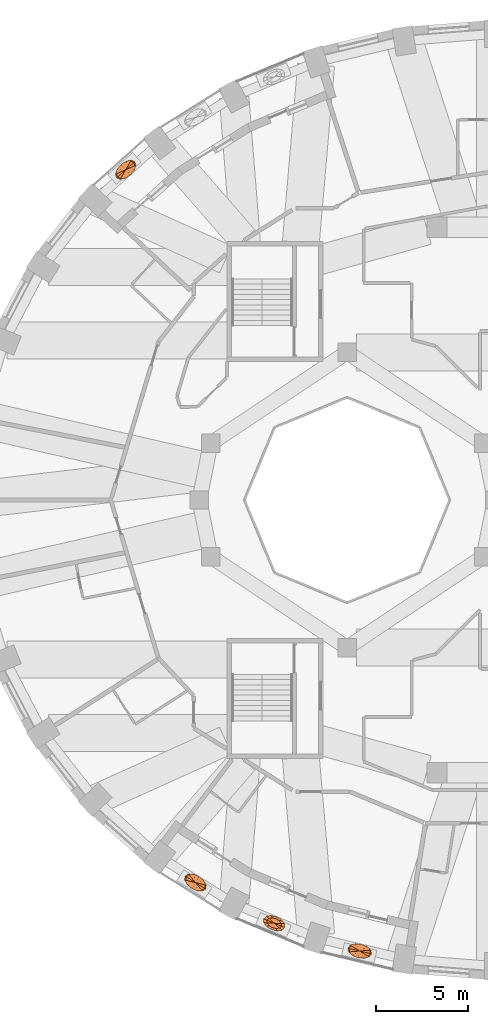
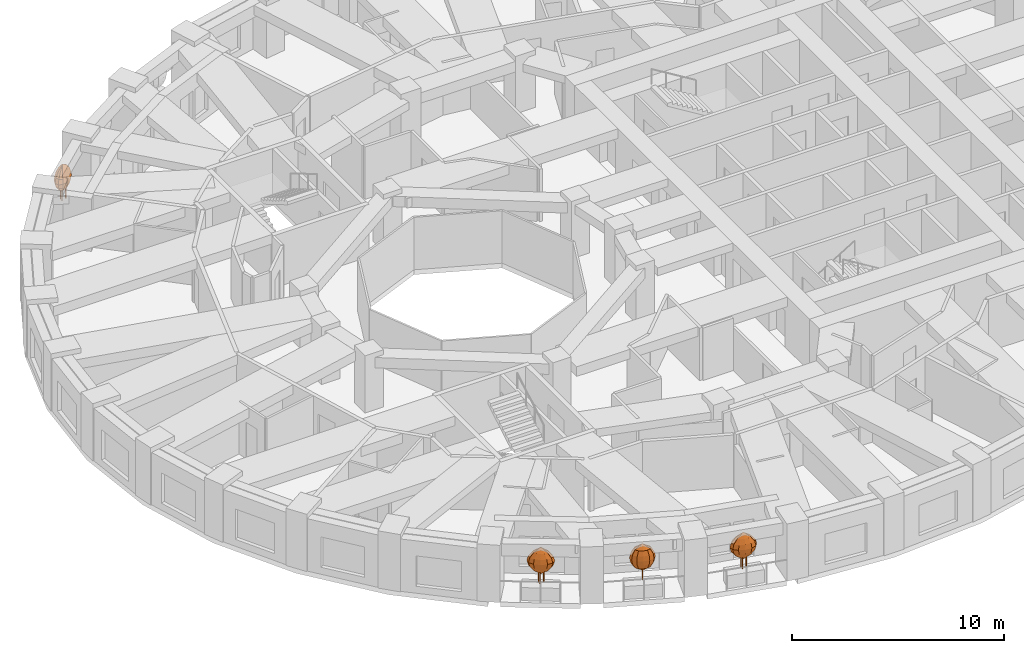
# One storey, part 12 of 13: 4 geographic elements.
"""IFC4 building model written with IfcOpenShell, lengths in metres."""

from ifc_helpers import new_model, si_unit, direction, frame, origin, place, context, subcontext, project, spatial, faceted_brep, material, constituent, constituent_set, type_object, element, save


model = new_model("IFC4")

# Units and contexts
model_context = context("Model", 3, precision=1e-05, world=origin(), true_north=direction((0.0, 1.0)))
body_context = subcontext(model_context, "Body", "Model", "MODEL_VIEW")
ifc_project = project(units=[si_unit("LENGTHUNIT", "METRE"), si_unit("AREAUNIT", "SQUARE_METRE"), si_unit("VOLUMEUNIT", "CUBIC_METRE"), si_unit("PLANEANGLEUNIT", "RADIAN"), si_unit("MASSUNIT", "GRAM", prefix="KILO")], contexts=[model_context])

# Site, building, storey
site_placement = place(None, origin())
site = spatial("IfcSite", under=ifc_project, at=site_placement, CompositionType="ELEMENT")
building_placement = place(site_placement, origin())
building = spatial("IfcBuilding", under=site, at=building_placement, Name="Taillehof Tower", CompositionType="ELEMENT")
storey_placement = place(building_placement, frame((0.0, 0.0, 44.800048828125)))
storey = spatial("IfcBuildingStorey", under=building, at=storey_placement, Name="L11", CompositionType="ELEMENT", Elevation=44.800048828125)

# Geographic elements
ifc_material_1 = material(Name="Tree bark", Category="timber")
ifc_constituent_1 = constituent(ifc_material_1, Name="Trunk", Category="timber")
ifc_material_2 = material(Name="Tree foliage")
ifc_constituent_2 = constituent(ifc_material_2, Name="Crown")
ifc_constituent_set_1 = constituent_set(constituents=[ifc_constituent_1, ifc_constituent_2], Name="Tree TR1 Columnar hornbeam")
geographic_element_type_1 = type_object("IfcGeographicElementType", Name="Tree TR1 Columnar hornbeam", PredefinedType="USERDEFINED", material=ifc_constituent_set_1)
geographic_element_1_placement = place(storey_placement, frame((-11.947509765625, -22.923583984375, 0.75)))
element("IfcGeographicElement", 1, at=geographic_element_1_placement, inside=storey, type_object=geographic_element_type_1, Name="Tree TR1 Columnar hornbeam", ObjectType="TREE", PredefinedType="USERDEFINED", context=body_context, shape_type="Brep", body=[
    faceted_brep([(0.030029296875, 0.0, 0.0), (0.021240234375, 0.021240234375, 0.0), (0.021240234375, 0.021240234375, 1.092529296875), (0.030029296875, 0.0, 1.092529296875), (0.0, 0.030029296875, 0.0), (0.0, 0.030029296875, 1.092529296875), (-0.021240234375, 0.021240234375, 0.0), (-0.021240234375, 0.021240234375, 1.092529296875), (-0.030029296875, 0.0, 0.0), (-0.030029296875, 0.0, 1.092529296875), (-0.021240234375, -0.021240234375, 0.0), (-0.021240234375, -0.021240234375, 1.092529296875), (0.0, -0.030029296875, 0.0), (0.0, -0.030029296875, 1.092529296875), (0.021240234375, -0.021240234375, 0.0), (0.021240234375, -0.021240234375, 1.092529296875)], [[[0, 1, 2, 3]], [[1, 4, 5, 2]], [[4, 6, 7, 5]], [[6, 8, 9, 7]], [[8, 10, 11, 9]], [[10, 12, 13, 11]], [[12, 14, 15, 13]], [[14, 0, 3, 15]], [[14, 12, 10, 8, 6, 4, 1, 0]], [[3, 2, 5, 7, 9, 11, 13, 15]]]),
    faceted_brep([(0.0, 0.0, 0.550048828125), (0.386962890625, -0.020751953125, 0.808349609375), (0.389404296875, -0.162353515625, 0.808349609375), (0.28125, 0.126220703125, 0.808349609375), (0.099853515625, 0.239501953125, 0.808349609375), (-0.108154296875, 0.28857421875, 0.808349609375), (-0.287109375, 0.26025390625, 0.808349609375), (-0.389404296875, 0.162353515625, 0.808349609375), (-0.386962890625, 0.020751953125, 0.808349609375), (-0.28125, -0.126220703125, 0.808349609375), (-0.099853515625, -0.239501953125, 0.808349609375), (0.108154296875, -0.28857421875, 0.808349609375), (0.287109375, -0.26025390625, 0.808349609375), (0.523681640625, -0.028076171875, 1.066650390625), (0.526611328125, -0.219482421875, 1.066650390625), (0.38037109375, 0.1708984375, 1.066650390625), (0.135009765625, 0.323974609375, 1.066650390625), (-0.146240234375, 0.390380859375, 1.066650390625), (-0.388427734375, 0.35205078125, 1.066650390625), (-0.526611328125, 0.219482421875, 1.066650390625), (-0.523681640625, 0.028076171875, 1.066650390625), (-0.38037109375, -0.1708984375, 1.066650390625), (-0.135009765625, -0.323974609375, 1.066650390625), (0.146240234375, -0.390380859375, 1.066650390625), (0.388427734375, -0.35205078125, 1.066650390625), (0.566650390625, -0.0302734375, 1.324951171875), (0.570068359375, -0.237548828125, 1.324951171875), (0.41162109375, 0.18505859375, 1.324951171875), (0.146240234375, 0.350830078125, 1.324951171875), (-0.158447265625, 0.422607421875, 1.324951171875), (-0.42041015625, 0.381103515625, 1.324951171875), (-0.570068359375, 0.237548828125, 1.324951171875), (-0.566650390625, 0.0302734375, 1.324951171875), (-0.41162109375, -0.18505859375, 1.324951171875), (-0.146240234375, -0.350830078125, 1.324951171875), (0.158447265625, -0.422607421875, 1.324951171875), (0.42041015625, -0.381103515625, 1.324951171875), (0.523681640625, -0.028076171875, 1.583251953125), (0.526611328125, -0.219482421875, 1.583251953125), (0.38037109375, 0.1708984375, 1.583251953125), (0.135009765625, 0.323974609375, 1.583251953125), (-0.146240234375, 0.390380859375, 1.583251953125), (-0.388427734375, 0.35205078125, 1.583251953125), (-0.526611328125, 0.219482421875, 1.583251953125), (-0.523681640625, 0.028076171875, 1.583251953125), (-0.38037109375, -0.1708984375, 1.583251953125), (-0.135009765625, -0.323974609375, 1.583251953125), (0.146240234375, -0.390380859375, 1.583251953125), (0.388427734375, -0.35205078125, 1.583251953125), (0.386962890625, -0.020751953125, 1.841552734375), (0.389404296875, -0.162353515625, 1.841552734375), (0.28125, 0.126220703125, 1.841552734375), (0.099853515625, 0.239501953125, 1.841552734375), (-0.108154296875, 0.28857421875, 1.841552734375), (-0.287109375, 0.26025390625, 1.841552734375), (-0.389404296875, 0.162353515625, 1.841552734375), (-0.386962890625, 0.020751953125, 1.841552734375), (-0.28125, -0.126220703125, 1.841552734375), (-0.099853515625, -0.239501953125, 1.841552734375), (0.108154296875, -0.28857421875, 1.841552734375), (0.287109375, -0.26025390625, 1.841552734375), (0.0, 0.0, 2.10009765625)], [[[0, 1, 2]], [[0, 3, 1]], [[0, 4, 3]], [[0, 5, 4]], [[0, 6, 5]], [[0, 7, 6]], [[0, 8, 7]], [[0, 9, 8]], [[0, 10, 9]], [[0, 11, 10]], [[0, 12, 11]], [[0, 2, 12]], [[2, 1, 13, 14]], [[1, 3, 15, 13]], [[3, 4, 16, 15]], [[4, 5, 17, 16]], [[5, 6, 18, 17]], [[6, 7, 19, 18]], [[7, 8, 20, 19]], [[8, 9, 21, 20]], [[9, 10, 22, 21]], [[10, 11, 23, 22]], [[11, 12, 24, 23]], [[12, 2, 14, 24]], [[14, 13, 25, 26]], [[13, 15, 27, 25]], [[15, 16, 28, 27]], [[16, 17, 29, 28]], [[17, 18, 30, 29]], [[18, 19, 31, 30]], [[19, 20, 32, 31]], [[20, 21, 33, 32]], [[21, 22, 34, 33]], [[22, 23, 35, 34]], [[23, 24, 36, 35]], [[24, 14, 26, 36]], [[26, 25, 37, 38]], [[25, 27, 39, 37]], [[27, 28, 40, 39]], [[28, 29, 41, 40]], [[29, 30, 42, 41]], [[30, 31, 43, 42]], [[31, 32, 44, 43]], [[32, 33, 45, 44]], [[33, 34, 46, 45]], [[34, 35, 47, 46]], [[35, 36, 48, 47]], [[36, 26, 38, 48]], [[38, 37, 49, 50]], [[37, 39, 51, 49]], [[39, 40, 52, 51]], [[40, 41, 53, 52]], [[41, 42, 54, 53]], [[42, 43, 55, 54]], [[43, 44, 56, 55]], [[44, 45, 57, 56]], [[45, 46, 58, 57]], [[46, 47, 59, 58]], [[47, 48, 60, 59]], [[48, 38, 50, 60]], [[50, 49, 61]], [[49, 51, 61]], [[51, 52, 61]], [[52, 53, 61]], [[53, 54, 61]], [[54, 55, 61]], [[55, 56, 61]], [[56, 57, 61]], [[57, 58, 61]], [[58, 59, 61]], [[59, 60, 61]], [[60, 50, 61]]]),
])
ifc_material_3 = material(Name="Tree bark", Category="timber")
ifc_constituent_3 = constituent(ifc_material_3, Name="Trunk", Category="timber")
ifc_material_4 = material(Name="Tree foliage")
ifc_constituent_4 = constituent(ifc_material_4, Name="Crown")
ifc_constituent_set_2 = constituent_set(constituents=[ifc_constituent_3, ifc_constituent_4], Name="Tree TR3 Multi-stem serviceberry")
geographic_element_type_2 = type_object("IfcGeographicElementType", Name="Tree TR3 Multi-stem serviceberry", PredefinedType="USERDEFINED", material=ifc_constituent_set_2)
geographic_element_2_placement = place(storey_placement, frame((-16.2158203125, -20.720703125, 0.75)))
element("IfcGeographicElement", 2, at=geographic_element_2_placement, inside=storey, type_object=geographic_element_type_2, Name="Tree TR3 Multi-stem serviceberry", ObjectType="TREE", PredefinedType="USERDEFINED", context=body_context, shape_type="Brep", body=[
    faceted_brep([(0.195068359375, 0.0, 0.0), (0.186767578125, 0.0205078125, 0.0), (0.186767578125, 0.0205078125, 1.04248046875), (0.195068359375, 0.0, 1.04248046875), (0.166259765625, 0.02880859375, 0.0), (0.166259765625, 0.02880859375, 1.04248046875), (0.145751953125, 0.0205078125, 0.0), (0.145751953125, 0.0205078125, 1.04248046875), (0.137451171875, 0.0, 0.0), (0.137451171875, 0.0, 1.04248046875), (0.145751953125, -0.0205078125, 0.0), (0.145751953125, -0.0205078125, 1.04248046875), (0.166259765625, -0.02880859375, 0.0), (0.166259765625, -0.02880859375, 1.04248046875), (0.186767578125, -0.0205078125, 0.0), (0.186767578125, -0.0205078125, 1.04248046875)], [[[0, 1, 2, 3]], [[1, 4, 5, 2]], [[4, 6, 7, 5]], [[6, 8, 9, 7]], [[8, 10, 11, 9]], [[10, 12, 13, 11]], [[12, 14, 15, 13]], [[14, 0, 3, 15]], [[14, 12, 10, 8, 6, 4, 1, 0]], [[3, 2, 5, 7, 9, 11, 13, 15]]]),
    faceted_brep([(-0.05419921875, 0.082275390625, 0.0), (-0.062744140625, 0.102783203125, 0.0), (-0.062744140625, 0.102783203125, 1.04248046875), (-0.05419921875, 0.082275390625, 1.04248046875), (-0.0830078125, 0.111083984375, 0.0), (-0.0830078125, 0.111083984375, 1.04248046875), (-0.103515625, 0.102783203125, 0.0), (-0.103515625, 0.102783203125, 1.04248046875), (-0.112060546875, 0.082275390625, 0.0), (-0.112060546875, 0.082275390625, 1.04248046875), (-0.103515625, 0.061767578125, 0.0), (-0.103515625, 0.061767578125, 1.04248046875), (-0.0830078125, 0.053466796875, 0.0), (-0.0830078125, 0.053466796875, 1.04248046875), (-0.062744140625, 0.061767578125, 0.0), (-0.062744140625, 0.061767578125, 1.04248046875)], [[[0, 1, 2, 3]], [[1, 4, 5, 2]], [[4, 6, 7, 5]], [[6, 8, 9, 7]], [[8, 10, 11, 9]], [[10, 12, 13, 11]], [[12, 14, 15, 13]], [[14, 0, 3, 15]], [[14, 12, 10, 8, 6, 4, 1, 0]], [[3, 2, 5, 7, 9, 11, 13, 15]]]),
    faceted_brep([(-0.05419921875, -0.082275390625, 0.0), (-0.062744140625, -0.061767578125, 0.0), (-0.062744140625, -0.061767578125, 1.04248046875), (-0.05419921875, -0.082275390625, 1.04248046875), (-0.0830078125, -0.053466796875, 0.0), (-0.0830078125, -0.053466796875, 1.04248046875), (-0.103515625, -0.061767578125, 0.0), (-0.103515625, -0.061767578125, 1.04248046875), (-0.112060546875, -0.082275390625, 0.0), (-0.112060546875, -0.082275390625, 1.04248046875), (-0.103515625, -0.102783203125, 0.0), (-0.103515625, -0.102783203125, 1.04248046875), (-0.0830078125, -0.111083984375, 0.0), (-0.0830078125, -0.111083984375, 1.04248046875), (-0.062744140625, -0.102783203125, 0.0), (-0.062744140625, -0.102783203125, 1.04248046875)], [[[0, 1, 2, 3]], [[1, 4, 5, 2]], [[4, 6, 7, 5]], [[6, 8, 9, 7]], [[8, 10, 11, 9]], [[10, 12, 13, 11]], [[12, 14, 15, 13]], [[14, 0, 3, 15]], [[14, 12, 10, 8, 6, 4, 1, 0]], [[3, 2, 5, 7, 9, 11, 13, 15]]]),
    faceted_brep([(0.0, 0.0, 0.5), (0.33837890625, -0.0830078125, 0.75830078125), (0.32373046875, -0.20263671875, 0.75830078125), (0.26220703125, 0.058837890625, 0.75830078125), (0.11572265625, 0.18505859375, 0.75830078125), (-0.0615234375, 0.261474609375, 0.75830078125), (-0.222412109375, 0.26806640625, 0.75830078125), (-0.32373046875, 0.20263671875, 0.75830078125), (-0.33837890625, 0.0830078125, 0.75830078125), (-0.26220703125, -0.058837890625, 0.75830078125), (-0.11572265625, -0.18505859375, 0.75830078125), (0.0615234375, -0.261474609375, 0.75830078125), (0.222412109375, -0.26806640625, 0.75830078125), (0.52490234375, -0.12890625, 1.0166015625), (0.50244140625, -0.314453125, 1.0166015625), (0.40673828125, 0.09130859375, 1.0166015625), (0.1796875, 0.287109375, 1.0166015625), (-0.095703125, 0.40576171875, 1.0166015625), (-0.34521484375, 0.415771484375, 1.0166015625), (-0.50244140625, 0.314453125, 1.0166015625), (-0.52490234375, 0.12890625, 1.0166015625), (-0.40673828125, -0.09130859375, 1.0166015625), (-0.1796875, -0.287109375, 1.0166015625), (0.095703125, -0.40576171875, 1.0166015625), (0.34521484375, -0.415771484375, 1.0166015625), (0.5888671875, -0.14453125, 1.27490234375), (0.563720703125, -0.352783203125, 1.27490234375), (0.45654296875, 0.1025390625, 1.27490234375), (0.20166015625, 0.322021484375, 1.27490234375), (-0.107177734375, 0.455322265625, 1.27490234375), (-0.387451171875, 0.466552734375, 1.27490234375), (-0.563720703125, 0.352783203125, 1.27490234375), (-0.5888671875, 0.14453125, 1.27490234375), (-0.45654296875, -0.1025390625, 1.27490234375), (-0.20166015625, -0.322021484375, 1.27490234375), (0.107177734375, -0.455322265625, 1.27490234375), (0.387451171875, -0.466552734375, 1.27490234375), (0.52490234375, -0.12890625, 1.533447265625), (0.50244140625, -0.314453125, 1.533447265625), (0.40673828125, 0.09130859375, 1.533447265625), (0.1796875, 0.287109375, 1.533447265625), (-0.095703125, 0.40576171875, 1.533447265625), (-0.34521484375, 0.415771484375, 1.533447265625), (-0.50244140625, 0.314453125, 1.533447265625), (-0.52490234375, 0.12890625, 1.533447265625), (-0.40673828125, -0.09130859375, 1.533447265625), (-0.1796875, -0.287109375, 1.533447265625), (0.095703125, -0.40576171875, 1.533447265625), (0.34521484375, -0.415771484375, 1.533447265625), (0.33837890625, -0.0830078125, 1.791748046875), (0.32373046875, -0.20263671875, 1.791748046875), (0.26220703125, 0.058837890625, 1.791748046875), (0.11572265625, 0.18505859375, 1.791748046875), (-0.0615234375, 0.261474609375, 1.791748046875), (-0.222412109375, 0.26806640625, 1.791748046875), (-0.32373046875, 0.20263671875, 1.791748046875), (-0.33837890625, 0.0830078125, 1.791748046875), (-0.26220703125, -0.058837890625, 1.791748046875), (-0.11572265625, -0.18505859375, 1.791748046875), (0.0615234375, -0.261474609375, 1.791748046875), (0.222412109375, -0.26806640625, 1.791748046875), (0.0, 0.0, 2.050048828125)], [[[0, 1, 2]], [[0, 3, 1]], [[0, 4, 3]], [[0, 5, 4]], [[0, 6, 5]], [[0, 7, 6]], [[0, 8, 7]], [[0, 9, 8]], [[0, 10, 9]], [[0, 11, 10]], [[0, 12, 11]], [[0, 2, 12]], [[2, 1, 13, 14]], [[1, 3, 15, 13]], [[3, 4, 16, 15]], [[4, 5, 17, 16]], [[5, 6, 18, 17]], [[6, 7, 19, 18]], [[7, 8, 20, 19]], [[8, 9, 21, 20]], [[9, 10, 22, 21]], [[10, 11, 23, 22]], [[11, 12, 24, 23]], [[12, 2, 14, 24]], [[14, 13, 25, 26]], [[13, 15, 27, 25]], [[15, 16, 28, 27]], [[16, 17, 29, 28]], [[17, 18, 30, 29]], [[18, 19, 31, 30]], [[19, 20, 32, 31]], [[20, 21, 33, 32]], [[21, 22, 34, 33]], [[22, 23, 35, 34]], [[23, 24, 36, 35]], [[24, 14, 26, 36]], [[26, 25, 37, 38]], [[25, 27, 39, 37]], [[27, 28, 40, 39]], [[28, 29, 41, 40]], [[29, 30, 42, 41]], [[30, 31, 43, 42]], [[31, 32, 44, 43]], [[32, 33, 45, 44]], [[33, 34, 46, 45]], [[34, 35, 47, 46]], [[35, 36, 48, 47]], [[36, 26, 38, 48]], [[38, 37, 49, 50]], [[37, 39, 51, 49]], [[39, 40, 52, 51]], [[40, 41, 53, 52]], [[41, 42, 54, 53]], [[42, 43, 55, 54]], [[43, 44, 56, 55]], [[44, 45, 57, 56]], [[45, 46, 58, 57]], [[46, 47, 59, 58]], [[47, 48, 60, 59]], [[48, 38, 50, 60]], [[50, 49, 61]], [[49, 51, 61]], [[51, 52, 61]], [[52, 53, 61]], [[53, 54, 61]], [[54, 55, 61]], [[55, 56, 61]], [[56, 57, 61]], [[57, 58, 61]], [[58, 59, 61]], [[59, 60, 61]], [[60, 50, 61]]]),
])
geographic_element_3_placement = place(storey_placement, frame((-7.31640625, -24.430419921875, 0.75)))
element("IfcGeographicElement", 3, at=geographic_element_3_placement, inside=storey, type_object=geographic_element_type_2, Name="Tree TR3 Multi-stem serviceberry", ObjectType="TREE", PredefinedType="USERDEFINED", context=body_context, shape_type="Brep", body=[
    faceted_brep([(0.195068359375, 0.0, 0.0), (0.186767578125, 0.0205078125, 0.0), (0.186767578125, 0.0205078125, 1.04248046875), (0.195068359375, 0.0, 1.04248046875), (0.166259765625, 0.02880859375, 0.0), (0.166259765625, 0.02880859375, 1.04248046875), (0.145751953125, 0.0205078125, 0.0), (0.145751953125, 0.0205078125, 1.04248046875), (0.137451171875, 0.0, 0.0), (0.137451171875, 0.0, 1.04248046875), (0.145751953125, -0.0205078125, 0.0), (0.145751953125, -0.0205078125, 1.04248046875), (0.166259765625, -0.02880859375, 0.0), (0.166259765625, -0.02880859375, 1.04248046875), (0.186767578125, -0.0205078125, 0.0), (0.186767578125, -0.0205078125, 1.04248046875)], [[[0, 1, 2, 3]], [[1, 4, 5, 2]], [[4, 6, 7, 5]], [[6, 8, 9, 7]], [[8, 10, 11, 9]], [[10, 12, 13, 11]], [[12, 14, 15, 13]], [[14, 0, 3, 15]], [[14, 12, 10, 8, 6, 4, 1, 0]], [[3, 2, 5, 7, 9, 11, 13, 15]]]),
    faceted_brep([(-0.05419921875, 0.082275390625, 0.0), (-0.062744140625, 0.102783203125, 0.0), (-0.062744140625, 0.102783203125, 1.04248046875), (-0.05419921875, 0.082275390625, 1.04248046875), (-0.0830078125, 0.111083984375, 0.0), (-0.0830078125, 0.111083984375, 1.04248046875), (-0.103515625, 0.102783203125, 0.0), (-0.103515625, 0.102783203125, 1.04248046875), (-0.112060546875, 0.082275390625, 0.0), (-0.112060546875, 0.082275390625, 1.04248046875), (-0.103515625, 0.061767578125, 0.0), (-0.103515625, 0.061767578125, 1.04248046875), (-0.0830078125, 0.053466796875, 0.0), (-0.0830078125, 0.053466796875, 1.04248046875), (-0.062744140625, 0.061767578125, 0.0), (-0.062744140625, 0.061767578125, 1.04248046875)], [[[0, 1, 2, 3]], [[1, 4, 5, 2]], [[4, 6, 7, 5]], [[6, 8, 9, 7]], [[8, 10, 11, 9]], [[10, 12, 13, 11]], [[12, 14, 15, 13]], [[14, 0, 3, 15]], [[14, 12, 10, 8, 6, 4, 1, 0]], [[3, 2, 5, 7, 9, 11, 13, 15]]]),
    faceted_brep([(-0.05419921875, -0.082275390625, 0.0), (-0.062744140625, -0.061767578125, 0.0), (-0.062744140625, -0.061767578125, 1.04248046875), (-0.05419921875, -0.082275390625, 1.04248046875), (-0.0830078125, -0.053466796875, 0.0), (-0.0830078125, -0.053466796875, 1.04248046875), (-0.103515625, -0.061767578125, 0.0), (-0.103515625, -0.061767578125, 1.04248046875), (-0.112060546875, -0.082275390625, 0.0), (-0.112060546875, -0.082275390625, 1.04248046875), (-0.103515625, -0.102783203125, 0.0), (-0.103515625, -0.102783203125, 1.04248046875), (-0.0830078125, -0.111083984375, 0.0), (-0.0830078125, -0.111083984375, 1.04248046875), (-0.062744140625, -0.102783203125, 0.0), (-0.062744140625, -0.102783203125, 1.04248046875)], [[[0, 1, 2, 3]], [[1, 4, 5, 2]], [[4, 6, 7, 5]], [[6, 8, 9, 7]], [[8, 10, 11, 9]], [[10, 12, 13, 11]], [[12, 14, 15, 13]], [[14, 0, 3, 15]], [[14, 12, 10, 8, 6, 4, 1, 0]], [[3, 2, 5, 7, 9, 11, 13, 15]]]),
    faceted_brep([(0.0, 0.0, 0.5), (0.34716796875, 0.029052734375, 0.75830078125), (0.371337890625, -0.0888671875, 0.75830078125), (0.229736328125, 0.139404296875, 0.75830078125), (0.05078125, 0.212158203125, 0.75830078125), (-0.1416015625, 0.228271484375, 0.75830078125), (-0.296142578125, 0.18310546875, 0.75830078125), (-0.371337890625, 0.0888671875, 0.75830078125), (-0.34716796875, -0.029052734375, 0.75830078125), (-0.229736328125, -0.139404296875, 0.75830078125), (-0.05078125, -0.212158203125, 0.75830078125), (0.1416015625, -0.228271484375, 0.75830078125), (0.296142578125, -0.18310546875, 0.75830078125), (0.53857421875, 0.045166015625, 1.0166015625), (0.576416015625, -0.13818359375, 1.0166015625), (0.3564453125, 0.21630859375, 1.0166015625), (0.078857421875, 0.329345703125, 1.0166015625), (-0.219970703125, 0.354248046875, 1.0166015625), (-0.459716796875, 0.2841796875, 1.0166015625), (-0.576416015625, 0.13818359375, 1.0166015625), (-0.53857421875, -0.045166015625, 1.0166015625), (-0.3564453125, -0.21630859375, 1.0166015625), (-0.078857421875, -0.329345703125, 1.0166015625), (0.219970703125, -0.354248046875, 1.0166015625), (0.459716796875, -0.2841796875, 1.0166015625), (0.604248046875, 0.050537109375, 1.27490234375), (0.646728515625, -0.15478515625, 1.27490234375), (0.39990234375, 0.24267578125, 1.27490234375), (0.088623046875, 0.36962890625, 1.27490234375), (-0.24658203125, 0.3974609375, 1.27490234375), (-0.515869140625, 0.31884765625, 1.27490234375), (-0.646728515625, 0.15478515625, 1.27490234375), (-0.604248046875, -0.050537109375, 1.27490234375), (-0.39990234375, -0.24267578125, 1.27490234375), (-0.088623046875, -0.36962890625, 1.27490234375), (0.24658203125, -0.3974609375, 1.27490234375), (0.515869140625, -0.31884765625, 1.27490234375), (0.53857421875, 0.045166015625, 1.533447265625), (0.576416015625, -0.13818359375, 1.533447265625), (0.3564453125, 0.21630859375, 1.533447265625), (0.078857421875, 0.329345703125, 1.533447265625), (-0.219970703125, 0.354248046875, 1.533447265625), (-0.459716796875, 0.2841796875, 1.533447265625), (-0.576416015625, 0.13818359375, 1.533447265625), (-0.53857421875, -0.045166015625, 1.533447265625), (-0.3564453125, -0.21630859375, 1.533447265625), (-0.078857421875, -0.329345703125, 1.533447265625), (0.219970703125, -0.354248046875, 1.533447265625), (0.459716796875, -0.2841796875, 1.533447265625), (0.34716796875, 0.029052734375, 1.791748046875), (0.371337890625, -0.0888671875, 1.791748046875), (0.229736328125, 0.139404296875, 1.791748046875), (0.05078125, 0.212158203125, 1.791748046875), (-0.1416015625, 0.228271484375, 1.791748046875), (-0.296142578125, 0.18310546875, 1.791748046875), (-0.371337890625, 0.0888671875, 1.791748046875), (-0.34716796875, -0.029052734375, 1.791748046875), (-0.229736328125, -0.139404296875, 1.791748046875), (-0.05078125, -0.212158203125, 1.791748046875), (0.1416015625, -0.228271484375, 1.791748046875), (0.296142578125, -0.18310546875, 1.791748046875), (0.0, 0.0, 2.050048828125)], [[[0, 1, 2]], [[0, 3, 1]], [[0, 4, 3]], [[0, 5, 4]], [[0, 6, 5]], [[0, 7, 6]], [[0, 8, 7]], [[0, 9, 8]], [[0, 10, 9]], [[0, 11, 10]], [[0, 12, 11]], [[0, 2, 12]], [[2, 1, 13, 14]], [[1, 3, 15, 13]], [[3, 4, 16, 15]], [[4, 5, 17, 16]], [[5, 6, 18, 17]], [[6, 7, 19, 18]], [[7, 8, 20, 19]], [[8, 9, 21, 20]], [[9, 10, 22, 21]], [[10, 11, 23, 22]], [[11, 12, 24, 23]], [[12, 2, 14, 24]], [[14, 13, 25, 26]], [[13, 15, 27, 25]], [[15, 16, 28, 27]], [[16, 17, 29, 28]], [[17, 18, 30, 29]], [[18, 19, 31, 30]], [[19, 20, 32, 31]], [[20, 21, 33, 32]], [[21, 22, 34, 33]], [[22, 23, 35, 34]], [[23, 24, 36, 35]], [[24, 14, 26, 36]], [[26, 25, 37, 38]], [[25, 27, 39, 37]], [[27, 28, 40, 39]], [[28, 29, 41, 40]], [[29, 30, 42, 41]], [[30, 31, 43, 42]], [[31, 32, 44, 43]], [[32, 33, 45, 44]], [[33, 34, 46, 45]], [[34, 35, 47, 46]], [[35, 36, 48, 47]], [[36, 26, 38, 48]], [[38, 37, 49, 50]], [[37, 39, 51, 49]], [[39, 40, 52, 51]], [[40, 41, 53, 52]], [[41, 42, 54, 53]], [[42, 43, 55, 54]], [[43, 44, 56, 55]], [[44, 45, 57, 56]], [[45, 46, 58, 57]], [[46, 47, 59, 58]], [[47, 48, 60, 59]], [[48, 38, 50, 60]], [[50, 49, 61]], [[49, 51, 61]], [[51, 52, 61]], [[52, 53, 61]], [[53, 54, 61]], [[54, 55, 61]], [[55, 56, 61]], [[56, 57, 61]], [[57, 58, 61]], [[58, 59, 61]], [[59, 60, 61]], [[60, 50, 61]]]),
])
geographic_element_4_placement = place(storey_placement, frame((-19.9921875, 17.8876953125, 0.75)))
element("IfcGeographicElement", 4, at=geographic_element_4_placement, inside=storey, type_object=geographic_element_type_2, Name="Tree TR3 Multi-stem serviceberry", ObjectType="TREE", PredefinedType="USERDEFINED", context=body_context, shape_type="Brep", body=[
    faceted_brep([(0.195068359375, 0.0, 0.0), (0.186767578125, 0.0205078125, 0.0), (0.186767578125, 0.0205078125, 1.04248046875), (0.195068359375, 0.0, 1.04248046875), (0.166259765625, 0.02880859375, 0.0), (0.166259765625, 0.02880859375, 1.04248046875), (0.145751953125, 0.0205078125, 0.0), (0.145751953125, 0.0205078125, 1.04248046875), (0.137451171875, 0.0, 0.0), (0.137451171875, 0.0, 1.04248046875), (0.145751953125, -0.0205078125, 0.0), (0.145751953125, -0.0205078125, 1.04248046875), (0.166259765625, -0.02880859375, 0.0), (0.166259765625, -0.02880859375, 1.04248046875), (0.186767578125, -0.0205078125, 0.0), (0.186767578125, -0.0205078125, 1.04248046875)], [[[0, 1, 2, 3]], [[1, 4, 5, 2]], [[4, 6, 7, 5]], [[6, 8, 9, 7]], [[8, 10, 11, 9]], [[10, 12, 13, 11]], [[12, 14, 15, 13]], [[14, 0, 3, 15]], [[14, 12, 10, 8, 6, 4, 1, 0]], [[3, 2, 5, 7, 9, 11, 13, 15]]]),
    faceted_brep([(-0.05419921875, 0.082275390625, 0.0), (-0.062744140625, 0.102783203125, 0.0), (-0.062744140625, 0.102783203125, 1.04248046875), (-0.05419921875, 0.082275390625, 1.04248046875), (-0.0830078125, 0.111083984375, 0.0), (-0.0830078125, 0.111083984375, 1.04248046875), (-0.103515625, 0.102783203125, 0.0), (-0.103515625, 0.102783203125, 1.04248046875), (-0.112060546875, 0.082275390625, 0.0), (-0.112060546875, 0.082275390625, 1.04248046875), (-0.103515625, 0.061767578125, 0.0), (-0.103515625, 0.061767578125, 1.04248046875), (-0.0830078125, 0.053466796875, 0.0), (-0.0830078125, 0.053466796875, 1.04248046875), (-0.062744140625, 0.061767578125, 0.0), (-0.062744140625, 0.061767578125, 1.04248046875)], [[[0, 1, 2, 3]], [[1, 4, 5, 2]], [[4, 6, 7, 5]], [[6, 8, 9, 7]], [[8, 10, 11, 9]], [[10, 12, 13, 11]], [[12, 14, 15, 13]], [[14, 0, 3, 15]], [[14, 12, 10, 8, 6, 4, 1, 0]], [[3, 2, 5, 7, 9, 11, 13, 15]]]),
    faceted_brep([(-0.05419921875, -0.082275390625, 0.0), (-0.062744140625, -0.061767578125, 0.0), (-0.062744140625, -0.061767578125, 1.04248046875), (-0.05419921875, -0.082275390625, 1.04248046875), (-0.0830078125, -0.053466796875, 0.0), (-0.0830078125, -0.053466796875, 1.04248046875), (-0.103515625, -0.061767578125, 0.0), (-0.103515625, -0.061767578125, 1.04248046875), (-0.112060546875, -0.082275390625, 0.0), (-0.112060546875, -0.082275390625, 1.04248046875), (-0.103515625, -0.102783203125, 0.0), (-0.103515625, -0.102783203125, 1.04248046875), (-0.0830078125, -0.111083984375, 0.0), (-0.0830078125, -0.111083984375, 1.04248046875), (-0.062744140625, -0.102783203125, 0.0), (-0.062744140625, -0.102783203125, 1.04248046875)], [[[0, 1, 2, 3]], [[1, 4, 5, 2]], [[4, 6, 7, 5]], [[6, 8, 9, 7]], [[8, 10, 11, 9]], [[10, 12, 13, 11]], [[12, 14, 15, 13]], [[14, 0, 3, 15]], [[14, 12, 10, 8, 6, 4, 1, 0]], [[3, 2, 5, 7, 9, 11, 13, 15]]]),
    faceted_brep([(0.0, 0.0, 0.5), (-0.173828125, -0.3017578125, 0.75830078125), (-0.28466796875, -0.254638671875, 0.75830078125), (-0.016357421875, -0.268310546875, 0.75830078125), (0.1455078125, -0.16259765625, 0.75830078125), (0.268310546875, -0.013671875, 0.75830078125), (0.3193359375, 0.13916015625, 0.75830078125), (0.28466796875, 0.254638671875, 0.75830078125), (0.173828125, 0.3017578125, 0.75830078125), (0.016357421875, 0.268310546875, 0.75830078125), (-0.1455078125, 0.16259765625, 0.75830078125), (-0.268310546875, 0.013671875, 0.75830078125), (-0.3193359375, -0.13916015625, 0.75830078125), (-0.269775390625, -0.46826171875, 1.0166015625), (-0.44189453125, -0.39501953125, 1.0166015625), (-0.025390625, -0.416259765625, 1.0166015625), (0.225830078125, -0.25244140625, 1.0166015625), (0.41650390625, -0.021240234375, 1.0166015625), (0.49560546875, 0.2158203125, 1.0166015625), (0.44189453125, 0.39501953125, 1.0166015625), (0.269775390625, 0.46826171875, 1.0166015625), (0.025390625, 0.416259765625, 1.0166015625), (-0.225830078125, 0.25244140625, 1.0166015625), (-0.41650390625, 0.021240234375, 1.0166015625), (-0.49560546875, -0.2158203125, 1.0166015625), (-0.302734375, -0.525390625, 1.27490234375), (-0.495849609375, -0.443115234375, 1.27490234375), (-0.028564453125, -0.467041015625, 1.27490234375), (0.253173828125, -0.283203125, 1.27490234375), (0.46728515625, -0.023681640625, 1.27490234375), (0.555908203125, 0.2421875, 1.27490234375), (0.495849609375, 0.443115234375, 1.27490234375), (0.302734375, 0.525390625, 1.27490234375), (0.028564453125, 0.467041015625, 1.27490234375), (-0.253173828125, 0.283203125, 1.27490234375), (-0.46728515625, 0.023681640625, 1.27490234375), (-0.555908203125, -0.2421875, 1.27490234375), (-0.269775390625, -0.46826171875, 1.533447265625), (-0.44189453125, -0.39501953125, 1.533447265625), (-0.025390625, -0.416259765625, 1.533447265625), (0.225830078125, -0.25244140625, 1.533447265625), (0.41650390625, -0.021240234375, 1.533447265625), (0.49560546875, 0.2158203125, 1.533447265625), (0.44189453125, 0.39501953125, 1.533447265625), (0.269775390625, 0.46826171875, 1.533447265625), (0.025390625, 0.416259765625, 1.533447265625), (-0.225830078125, 0.25244140625, 1.533447265625), (-0.41650390625, 0.021240234375, 1.533447265625), (-0.49560546875, -0.2158203125, 1.533447265625), (-0.173828125, -0.3017578125, 1.791748046875), (-0.28466796875, -0.254638671875, 1.791748046875), (-0.016357421875, -0.268310546875, 1.791748046875), (0.1455078125, -0.16259765625, 1.791748046875), (0.268310546875, -0.013671875, 1.791748046875), (0.3193359375, 0.13916015625, 1.791748046875), (0.28466796875, 0.254638671875, 1.791748046875), (0.173828125, 0.3017578125, 1.791748046875), (0.016357421875, 0.268310546875, 1.791748046875), (-0.1455078125, 0.16259765625, 1.791748046875), (-0.268310546875, 0.013671875, 1.791748046875), (-0.3193359375, -0.13916015625, 1.791748046875), (0.0, 0.0, 2.050048828125)], [[[0, 1, 2]], [[0, 3, 1]], [[0, 4, 3]], [[0, 5, 4]], [[0, 6, 5]], [[0, 7, 6]], [[0, 8, 7]], [[0, 9, 8]], [[0, 10, 9]], [[0, 11, 10]], [[0, 12, 11]], [[0, 2, 12]], [[2, 1, 13, 14]], [[1, 3, 15, 13]], [[3, 4, 16, 15]], [[4, 5, 17, 16]], [[5, 6, 18, 17]], [[6, 7, 19, 18]], [[7, 8, 20, 19]], [[8, 9, 21, 20]], [[9, 10, 22, 21]], [[10, 11, 23, 22]], [[11, 12, 24, 23]], [[12, 2, 14, 24]], [[14, 13, 25, 26]], [[13, 15, 27, 25]], [[15, 16, 28, 27]], [[16, 17, 29, 28]], [[17, 18, 30, 29]], [[18, 19, 31, 30]], [[19, 20, 32, 31]], [[20, 21, 33, 32]], [[21, 22, 34, 33]], [[22, 23, 35, 34]], [[23, 24, 36, 35]], [[24, 14, 26, 36]], [[26, 25, 37, 38]], [[25, 27, 39, 37]], [[27, 28, 40, 39]], [[28, 29, 41, 40]], [[29, 30, 42, 41]], [[30, 31, 43, 42]], [[31, 32, 44, 43]], [[32, 33, 45, 44]], [[33, 34, 46, 45]], [[34, 35, 47, 46]], [[35, 36, 48, 47]], [[36, 26, 38, 48]], [[38, 37, 49, 50]], [[37, 39, 51, 49]], [[39, 40, 52, 51]], [[40, 41, 53, 52]], [[41, 42, 54, 53]], [[42, 43, 55, 54]], [[43, 44, 56, 55]], [[44, 45, 57, 56]], [[45, 46, 58, 57]], [[46, 47, 59, 58]], [[47, 48, 60, 59]], [[48, 38, 50, 60]], [[50, 49, 61]], [[49, 51, 61]], [[51, 52, 61]], [[52, 53, 61]], [[53, 54, 61]], [[54, 55, 61]], [[55, 56, 61]], [[56, 57, 61]], [[57, 58, 61]], [[58, 59, 61]], [[59, 60, 61]], [[60, 50, 61]]]),
])

save(model, "model.ifc")
